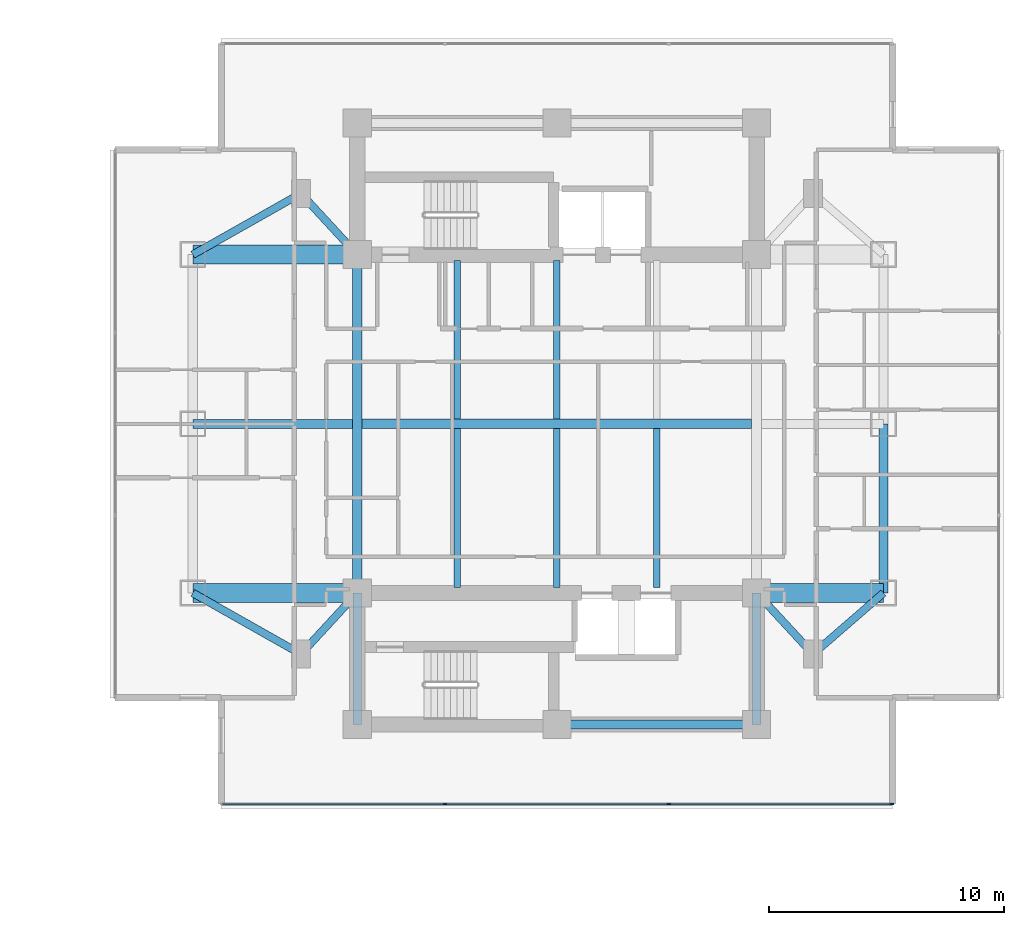
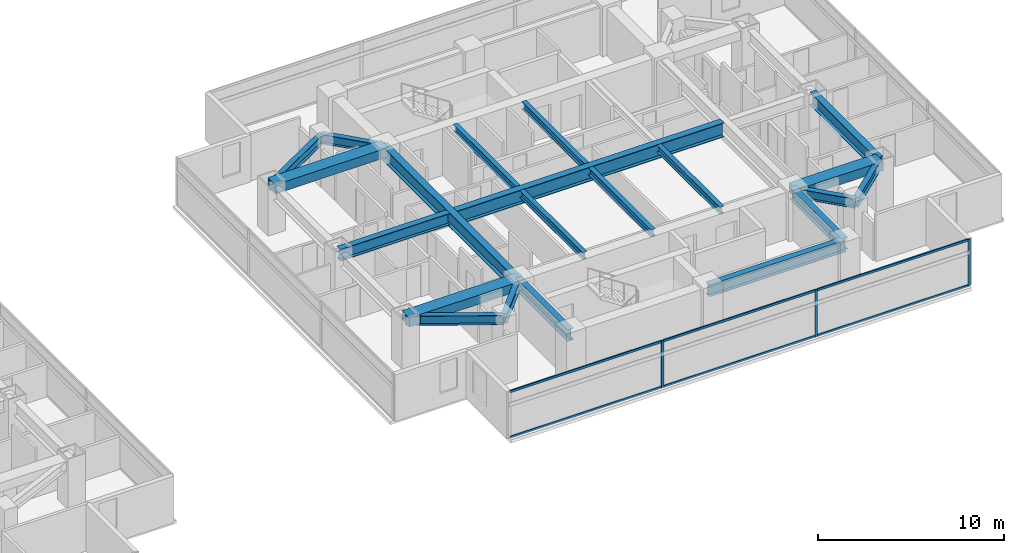
# One storey, part 9 of 25: 21 beams, 9 members, 1 element without a shape of its own.
"""IFC4 building model written with IfcOpenShell, lengths in metres."""

from ifc_helpers import new_model, si_unit, direction, frame, origin, origin_2d, place, context, subcontext, project, spatial, rectangle, i_section, extrude, material, material_profile, profile_set, type_object, element, aggregate, save


model = new_model("IFC4")

# Units and contexts
model_context = context("Model", 3, precision=1e-05, world=origin(), true_north=direction((0.0, 1.0)))
body_context = subcontext(model_context, "Body", "Model", "MODEL_VIEW")
ifc_project = project(units=[si_unit("LENGTHUNIT", "METRE"), si_unit("AREAUNIT", "SQUARE_METRE"), si_unit("VOLUMEUNIT", "CUBIC_METRE"), si_unit("PLANEANGLEUNIT", "RADIAN"), si_unit("MASSUNIT", "GRAM", prefix="KILO")], contexts=[model_context])

# Site, building, storey
site_placement = place(None, origin())
site = spatial("IfcSite", under=ifc_project, at=site_placement, CompositionType="ELEMENT")
building_placement = place(site_placement, origin())
building = spatial("IfcBuilding", under=site, at=building_placement, Name="Mirazonda Arch Towers", CompositionType="ELEMENT")
storey_placement = place(building_placement, frame((0.0, 0.0, 111.5)))
storey = spatial("IfcBuildingStorey", under=building, at=storey_placement, Name="L31", CompositionType="ELEMENT", Elevation=111.5)

# Beams
ifc_material_1 = material(Name="Steel ASTM A992 Grade 50", Category="steel")
ifc_material_profile_1 = material_profile(ifc_material_1, i_section(OverallWidth=0.39990234375, OverallDepth=0.85595703125, WebThickness=0.018310546875, FlangeThickness=0.029296875, at=origin_2d()), Name="W33X201")
ifc_profile_set_1 = profile_set([ifc_material_profile_1], Name="Steel ASTM A992 Grade 50")
beam_type_1 = type_object("IfcBeamType", Name="BM-EXT-W33X201", PredefinedType="USERDEFINED", material=ifc_profile_set_1)
beam_1_placement = place(storey_placement, frame((90.39990234375, 20.800048828125, 2.652099609375), z_axis=(0.0, 1.0, 0.0), x_axis=(-1.0, 0.0, 0.0)))
element("IfcBeam", 1, at=beam_1_placement, inside=storey, type_object=beam_type_1, Name="L31 Floor Beam BM-T2-L31-NS-E-20", ObjectType="GIRDER", PredefinedType="USERDEFINED", context=body_context, shape_type="SweptSolid", body=[
    extrude(i_section(OverallWidth=0.39990234375, OverallDepth=0.85595703125, WebThickness=0.018310546875, FlangeThickness=0.029296875, at=origin_2d()), origin(), (0.0, 0.0, 1.0), 7.199951171875),
])
ifc_material_profile_2 = material_profile(ifc_material_1, i_section(OverallWidth=0.280029296875, OverallDepth=0.462890625, WebThickness=0.0107421875, FlangeThickness=0.017333984375, at=origin_2d()), Name="W18X76")
ifc_profile_set_2 = profile_set([ifc_material_profile_2], Name="Steel ASTM A992 Grade 50")
beam_type_2 = type_object("IfcBeamType", Name="BM-INT-W18X76", PredefinedType="JOIST", material=ifc_profile_set_2)
for number, where, z_axis, x_axis, name in (
    (2, (72.25, 21.0400390625, 2.848388671875), (0.0, 1.0, 0.0), (-1.0, 0.0, 0.0), "L31 Floor Beam BM-T2-L31-J-722-20"),
    (3, (72.25, 28.205078125, 2.848388671875), (0.0, 1.0, 0.0), (-1.0, 0.0, 0.0), "L31 Floor Beam BM-T2-L31-J-722-28"),
    (4, (76.5, 21.0400390625, 2.848388671875), (0.0, 1.0, 0.0), (-1.0, 0.0, 0.0), "L31 Floor Beam BM-T2-L31-J-765-20"),
    (5, (76.5, 28.205078125, 2.848388671875), (0.0, 1.0, 0.0), (-1.0, 0.0, 0.0), "L31 Floor Beam BM-T2-L31-J-765-28"),
    (6, (80.75, 21.0400390625, 2.848388671875), (0.0, 1.0, 0.0), (-1.0, 0.0, 0.0), "L31 Floor Beam BM-T2-L31-J-807-20"),
):
    element("IfcBeam", number, at=place(storey_placement, frame(where, z_axis=z_axis, x_axis=x_axis)), inside=storey, type_object=beam_type_2, Name=name, PredefinedType="JOIST", context=body_context, shape_type="SweptSolid", body=[
        extrude(i_section(OverallWidth=0.280029296875, OverallDepth=0.462890625, WebThickness=0.0107421875, FlangeThickness=0.017333984375, at=origin_2d()), origin(), (0.0, 0.0, 1.0), 6.7548828125),
    ])
ifc_material_profile_3 = material_profile(ifc_material_1, i_section(OverallWidth=0.324951171875, OverallDepth=0.615966796875, WebThickness=0.013916015625, FlangeThickness=0.021484375, at=origin_2d()), Name="W24X117")
ifc_profile_set_3 = profile_set([ifc_material_profile_3], Name="Steel ASTM A992 Grade 50")
beam_type_3 = type_object("IfcBeamType", Name="BM-INT-W24X117", PredefinedType="BEAM", material=ifc_profile_set_3)
beam_2_placement = place(storey_placement, frame((65.60009765625, 18.199951171875, 2.77197265625), z_axis=(0.678251444854, 0.734829897019, 0.0), x_axis=(-0.734829897019, 0.678251444854, 0.0)))
element("IfcBeam", 7, at=beam_2_placement, inside=storey, type_object=beam_type_3, Name="L31 Floor Beam BM-T2-L31-PL-SW1", PredefinedType="BEAM", context=body_context, shape_type="SweptSolid", body=[
    extrude(i_section(OverallWidth=0.324951171875, OverallDepth=0.615966796875, WebThickness=0.013916015625, FlangeThickness=0.021484375, at=origin_2d()), origin(), (0.0, 0.0, 1.0), 3.538330078125),
])
beam_3_placement = place(storey_placement, frame((65.60009765625, 18.199951171875, 2.77197265625), z_axis=(-0.870559396632, 0.492063346467, 0.0), x_axis=(-0.492063346467, -0.870559396632, 0.0)))
element("IfcBeam", 8, at=beam_3_placement, inside=storey, type_object=beam_type_3, Name="L31 Floor Beam BM-T2-L31-PL-SW2", PredefinedType="BEAM", context=body_context, shape_type="SweptSolid", body=[
    extrude(i_section(OverallWidth=0.324951171875, OverallDepth=0.615966796875, WebThickness=0.013916015625, FlangeThickness=0.021484375, at=origin_2d()), origin(), (0.0, 0.0, 1.0), 5.2841796875),
])
beam_4_placement = place(storey_placement, frame((87.39990234375, 18.199951171875, 2.77197265625), z_axis=(-0.678251444854, 0.734829897019, 0.0), x_axis=(-0.734829897019, -0.678251444854, 0.0)))
element("IfcBeam", 9, at=beam_4_placement, inside=storey, type_object=beam_type_3, Name="L31 Floor Beam BM-T2-L31-PL-SE1", PredefinedType="BEAM", context=body_context, shape_type="SweptSolid", body=[
    extrude(i_section(OverallWidth=0.324951171875, OverallDepth=0.615966796875, WebThickness=0.013916015625, FlangeThickness=0.021484375, at=origin_2d()), origin(), (0.0, 0.0, 1.0), 3.538330078125),
])
beam_5_placement = place(storey_placement, frame((87.39990234375, 18.199951171875, 2.77197265625), z_axis=(0.755676908098, 0.654944585876, 0.0), x_axis=(-0.654944585876, 0.755676908098, 0.0)))
element("IfcBeam", 10, at=beam_5_placement, inside=storey, type_object=beam_type_3, Name="L31 Floor Beam BM-T2-L31-PL-SE2", PredefinedType="BEAM", context=body_context, shape_type="SweptSolid", body=[
    extrude(i_section(OverallWidth=0.324951171875, OverallDepth=0.615966796875, WebThickness=0.013916015625, FlangeThickness=0.021484375, at=origin_2d()), origin(), (0.0, 0.0, 1.0), 3.969970703125),
])
beam_6_placement = place(storey_placement, frame((65.60009765625, 37.800048828125, 2.77197265625), z_axis=(0.678251444854, -0.734829897019, 0.0), x_axis=(0.734829897019, 0.678251444854, 0.0)))
element("IfcBeam", 11, at=beam_6_placement, inside=storey, type_object=beam_type_3, Name="L31 Floor Beam BM-T2-L31-PL-NW1", PredefinedType="BEAM", context=body_context, shape_type="SweptSolid", body=[
    extrude(i_section(OverallWidth=0.324951171875, OverallDepth=0.615966796875, WebThickness=0.013916015625, FlangeThickness=0.021484375, at=origin_2d()), origin(), (0.0, 0.0, 1.0), 3.538330078125),
])
beam_7_placement = place(storey_placement, frame((65.60009765625, 37.800048828125, 2.77197265625), z_axis=(-0.870559396632, -0.492063346467, 0.0), x_axis=(0.492063346467, -0.870559396632, 0.0)))
element("IfcBeam", 12, at=beam_7_placement, inside=storey, type_object=beam_type_3, Name="L31 Floor Beam BM-T2-L31-PL-NW2", PredefinedType="BEAM", context=body_context, shape_type="SweptSolid", body=[
    extrude(i_section(OverallWidth=0.324951171875, OverallDepth=0.615966796875, WebThickness=0.013916015625, FlangeThickness=0.021484375, at=origin_2d()), origin(), (0.0, 0.0, 1.0), 5.2841796875),
])
ifc_material_profile_4 = material_profile(ifc_material_1, i_section(OverallWidth=0.381103515625, OverallDepth=0.77294921875, WebThickness=0.0166015625, FlangeThickness=0.027099609375, at=origin_2d()), Name="W30X173")
ifc_profile_set_4 = profile_set([ifc_material_profile_4], Name="Steel ASTM A992 Grade 50")
beam_type_4 = type_object("IfcBeamType", Name="BM-INT-W30X173", PredefinedType="USERDEFINED", material=ifc_profile_set_4)
beam_8_placement = place(storey_placement, frame((76.5, 15.199951171875, 2.693603515625), z_axis=(1.0, 0.0, 0.0), x_axis=(0.0, 1.0, 0.0)))
element("IfcBeam", 13, at=beam_8_placement, inside=storey, type_object=beam_type_4, Name="L31 Floor Beam BM-T2-L31-CS2", ObjectType="GIRDER", PredefinedType="USERDEFINED", context=body_context, shape_type="SweptSolid", body=[
    extrude(i_section(OverallWidth=0.381103515625, OverallDepth=0.77294921875, WebThickness=0.0166015625, FlangeThickness=0.027099609375, at=origin_2d()), origin(), (0.0, 0.0, 1.0), 8.5),
])
for number, where, z_axis, x_axis, name in (
    (14, (68.0, 15.199951171875, 2.693603515625), (0.0, 1.0, 0.0), (-1.0, 0.0, 0.0), "L31 Floor Beam BM-T2-L31-CSW"),
    (15, (85.0, 15.199951171875, 2.693603515625), (0.0, 1.0, 0.0), (-1.0, 0.0, 0.0), "L31 Floor Beam BM-T2-L31-CSE"),
):
    element("IfcBeam", number, at=place(storey_placement, frame(where, z_axis=z_axis, x_axis=x_axis)), inside=storey, type_object=beam_type_4, Name=name, ObjectType="GIRDER", PredefinedType="USERDEFINED", context=body_context, shape_type="SweptSolid", body=[
        extrude(i_section(OverallWidth=0.381103515625, OverallDepth=0.77294921875, WebThickness=0.0166015625, FlangeThickness=0.027099609375, at=origin_2d()), origin(), (0.0, 0.0, 1.0), 5.60009765625),
    ])
beam_9_placement = place(storey_placement, frame((61.0, 28.0, 2.693603515625), z_axis=(1.0, 0.0, 0.0), x_axis=(0.0, 1.0, 0.0)))
element("IfcBeam", 16, at=beam_9_placement, inside=storey, type_object=beam_type_4, Name="L31 Floor Beam BM-T2-L31-GW2", ObjectType="GIRDER", PredefinedType="USERDEFINED", context=body_context, shape_type="SweptSolid", body=[
    extrude(i_section(OverallWidth=0.381103515625, OverallDepth=0.77294921875, WebThickness=0.0166015625, FlangeThickness=0.027099609375, at=origin_2d()), origin(), (0.0, 0.0, 1.0), 6.791015625),
])
ifc_material_profile_5 = material_profile(ifc_material_1, i_section(OverallWidth=0.41796875, OverallDepth=0.927001953125, WebThickness=0.019287109375, FlangeThickness=0.031982421875, at=origin_2d()), Name="W36X231")
ifc_profile_set_5 = profile_set([ifc_material_profile_5], Name="Steel ASTM A992 Grade 50")
beam_type_5 = type_object("IfcBeamType", Name="BM-INT-W36X231", PredefinedType="USERDEFINED", material=ifc_profile_set_5)
beam_10_placement = place(storey_placement, frame((68.208984375, 28.0, 2.616455078125), z_axis=(1.0, 0.0, 0.0), x_axis=(0.0, 1.0, 0.0)))
element("IfcBeam", 17, at=beam_10_placement, inside=storey, type_object=beam_type_5, Name="L31 Floor Beam BM-T2-L31-GC2", ObjectType="GIRDER", PredefinedType="USERDEFINED", context=body_context, shape_type="SweptSolid", body=[
    extrude(i_section(OverallWidth=0.41796875, OverallDepth=0.927001953125, WebThickness=0.019287109375, FlangeThickness=0.031982421875, at=origin_2d()), origin(), (0.0, 0.0, 1.0), 16.58203125),
])
beam_11_placement = place(storey_placement, frame((68.0, 20.800048828125, 2.616455078125), z_axis=(0.0, 1.0, 0.0), x_axis=(-1.0, 0.0, 0.0)))
element("IfcBeam", 18, at=beam_11_placement, inside=storey, type_object=beam_type_5, Name="L31 Floor Beam BM-T2-L31-NS-CW-FULL", ObjectType="GIRDER", PredefinedType="USERDEFINED", context=body_context, shape_type="SweptSolid", body=[
    extrude(i_section(OverallWidth=0.41796875, OverallDepth=0.927001953125, WebThickness=0.019287109375, FlangeThickness=0.031982421875, at=origin_2d()), origin(), (0.0, 0.0, 1.0), 14.39990234375),
])
ifc_material_2 = material(Name="Concrete C60/75", Category="concrete")
ifc_material_profile_6 = material_profile(ifc_material_2, rectangle(XDim=0.800048828125, YDim=0.60009765625, at=origin_2d()), Name="RCCB800x600")
ifc_profile_set_6 = profile_set([ifc_material_profile_6], Name="Concrete C60/75")
beam_type_6 = type_object("IfcBeamType", Name="CB-INT-RCCB800x600", PredefinedType="SPANDREL", material=ifc_profile_set_6)
for number, where, z_axis, x_axis, name in (
    (19, (61.0, 35.199951171875, 2.780029296875), (1.0, 0.0, 0.0), (0.0, 1.0, 0.0), "L31 Floor Beam CBC-T2-L31-NW"),
    (20, (61.0, 20.800048828125, 2.780029296875), (1.0, 0.0, 0.0), (0.0, 1.0, 0.0), "L31 Floor Beam CBC-T2-L31-SW"),
):
    element("IfcBeam", number, at=place(storey_placement, frame(where, z_axis=z_axis, x_axis=x_axis)), inside=storey, type_object=beam_type_6, Name=name, PredefinedType="SPANDREL", context=body_context, shape_type="SweptSolid", body=[
        extrude(rectangle(XDim=0.800048828125, YDim=0.60009765625, at=origin_2d()), origin(), (0.0, 0.0, 1.0), 7.0),
    ])
beam_12_placement = place(storey_placement, frame((85.0, 20.800048828125, 2.780029296875), z_axis=(1.0, 0.0, 0.0), x_axis=(0.0, 1.0, 0.0)))
element("IfcBeam", 21, at=beam_12_placement, inside=storey, type_object=beam_type_6, Name="L31 Floor Beam CBC-T2-L31-SE", PredefinedType="SPANDREL", context=body_context, shape_type="SweptSolid", body=[
    extrude(rectangle(XDim=0.800048828125, YDim=0.60009765625, at=origin_2d()), origin(), (0.0, 0.0, 1.0), 5.39990234375),
])

# Curtain wall, members
ifc_material_3 = material(Name="Anodised Aluminium and Low-E Glass", Category="aluminium")
curtain_wall_type = type_object("IfcCurtainWallType", Name="CW-HTL-UNIT", PredefinedType="NOTDEFINED", material=ifc_material_3)
curtain_wall_placement = place(storey_placement, origin())
curtain_wall = element("IfcCurtainWall", 22, at=curtain_wall_placement, inside=storey, type_object=curtain_wall_type, Name="L31 T2 S Facade CW-L31-T2-S", PredefinedType="NOTDEFINED")
ifc_material_4 = material(Name="Anodised Aluminium Alloy", Category="aluminium")
ifc_material_profile_7 = material_profile(ifc_material_4, rectangle(XDim=0.074951171875, YDim=0.1650390625, at=origin_2d()), Name="ALU-MULL-75x165")
ifc_profile_set_7 = profile_set([ifc_material_profile_7], Name="Anodised Aluminium Alloy")
member_type_1 = type_object("IfcMemberType", Name="MULL-CW-HTL-UNIT", PredefinedType="MULLION", material=ifc_profile_set_7)
member_1_placement = place(storey_placement, frame((90.754638671875, 11.8193359375, 0.0), z_axis=(0.0, 0.0, 1.0), x_axis=(0.0, -1.0, 0.0)))
member_1 = element("IfcMember", 23, at=member_1_placement, type_object=member_type_1, Name="CW-112 mullion 1", PredefinedType="MULLION", context=body_context, shape_type="SweptSolid", body=[
    extrude(rectangle(XDim=0.074951171875, YDim=0.1650390625, at=origin_2d()), origin(), (0.0, 0.0, 1.0), 3.06005859375),
])
member_2_placement = place(storey_placement, frame((81.26416015625, 11.8193359375, 0.0), z_axis=(0.0, 0.0, 1.0), x_axis=(0.0, -1.0, 0.0)))
member_2 = element("IfcMember", 24, at=member_2_placement, type_object=member_type_1, Name="CW-112 mullion 2", PredefinedType="MULLION", context=body_context, shape_type="SweptSolid", body=[
    extrude(rectangle(XDim=0.074951171875, YDim=0.1650390625, at=origin_2d()), origin(), (0.0, 0.0, 1.0), 3.06005859375),
])
member_3_placement = place(storey_placement, frame((71.73583984375, 11.8193359375, 0.0), z_axis=(0.0, 0.0, 1.0), x_axis=(0.0, -1.0, 0.0)))
member_3 = element("IfcMember", 25, at=member_3_placement, type_object=member_type_1, Name="CW-112 mullion 3", PredefinedType="MULLION", context=body_context, shape_type="SweptSolid", body=[
    extrude(rectangle(XDim=0.074951171875, YDim=0.1650390625, at=origin_2d()), origin(), (0.0, 0.0, 1.0), 3.06005859375),
])
ifc_material_profile_8 = material_profile(ifc_material_4, rectangle(XDim=0.074951171875, YDim=0.14501953125, at=origin_2d()), Name="ALU-TRAN-75x145")
ifc_profile_set_8 = profile_set([ifc_material_profile_8], Name="Anodised Aluminium Alloy")
member_type_2 = type_object("IfcMemberType", Name="TRAN-CW-HTL-UNIT", PredefinedType="USERDEFINED", material=ifc_profile_set_8)
member_4_placement = place(storey_placement, frame((90.71728515625, 11.8193359375, 0.03759765625), z_axis=(-1.0, 0.0, 0.0), x_axis=(0.0, -1.0, 0.0)))
member_4 = element("IfcMember", 26, at=member_4_placement, type_object=member_type_2, Name="CW-112 transom 1.1", ObjectType="TRANSOM", PredefinedType="USERDEFINED", context=body_context, shape_type="SweptSolid", body=[
    extrude(rectangle(XDim=0.074951171875, YDim=0.14501953125, at=origin_2d()), origin(), (0.0, 0.0, 1.0), 9.415771484375),
])
member_5_placement = place(storey_placement, frame((90.71728515625, 11.8193359375, 3.0224609375), z_axis=(-1.0, 0.0, 0.0), x_axis=(0.0, -1.0, 0.0)))
member_5 = element("IfcMember", 27, at=member_5_placement, type_object=member_type_2, Name="CW-112 transom 1.2", ObjectType="TRANSOM", PredefinedType="USERDEFINED", context=body_context, shape_type="SweptSolid", body=[
    extrude(rectangle(XDim=0.074951171875, YDim=0.14501953125, at=origin_2d()), origin(), (0.0, 0.0, 1.0), 9.415771484375),
])
member_6_placement = place(storey_placement, frame((81.2265625, 11.8193359375, 0.03759765625), z_axis=(-1.0, 0.0, 0.0), x_axis=(0.0, -1.0, 0.0)))
member_6 = element("IfcMember", 28, at=member_6_placement, type_object=member_type_2, Name="CW-112 transom 2.1", ObjectType="TRANSOM", PredefinedType="USERDEFINED", context=body_context, shape_type="SweptSolid", body=[
    extrude(rectangle(XDim=0.074951171875, YDim=0.14501953125, at=origin_2d()), origin(), (0.0, 0.0, 1.0), 9.453125),
])
member_7_placement = place(storey_placement, frame((81.2265625, 11.8193359375, 3.0224609375), z_axis=(-1.0, 0.0, 0.0), x_axis=(0.0, -1.0, 0.0)))
member_7 = element("IfcMember", 29, at=member_7_placement, type_object=member_type_2, Name="CW-112 transom 2.2", ObjectType="TRANSOM", PredefinedType="USERDEFINED", context=body_context, shape_type="SweptSolid", body=[
    extrude(rectangle(XDim=0.074951171875, YDim=0.14501953125, at=origin_2d()), origin(), (0.0, 0.0, 1.0), 9.453125),
])
member_8_placement = place(storey_placement, frame((71.698486328125, 11.8193359375, 0.03759765625), z_axis=(-1.0, 0.0, 0.0), x_axis=(0.0, -1.0, 0.0)))
member_8 = element("IfcMember", 30, at=member_8_placement, type_object=member_type_2, Name="CW-112 transom 3.1", ObjectType="TRANSOM", PredefinedType="USERDEFINED", context=body_context, shape_type="SweptSolid", body=[
    extrude(rectangle(XDim=0.074951171875, YDim=0.14501953125, at=origin_2d()), origin(), (0.0, 0.0, 1.0), 9.415771484375),
])
member_9_placement = place(storey_placement, frame((71.698486328125, 11.8193359375, 3.0224609375), z_axis=(-1.0, 0.0, 0.0), x_axis=(0.0, -1.0, 0.0)))
member_9 = element("IfcMember", 31, at=member_9_placement, type_object=member_type_2, Name="CW-112 transom 3.2", ObjectType="TRANSOM", PredefinedType="USERDEFINED", context=body_context, shape_type="SweptSolid", body=[
    extrude(rectangle(XDim=0.074951171875, YDim=0.14501953125, at=origin_2d()), origin(), (0.0, 0.0, 1.0), 9.415771484375),
])
aggregate(curtain_wall, [member_1, member_2, member_3, member_4, member_5, member_6, member_7, member_8, member_9])

save(model, "model.ifc")
